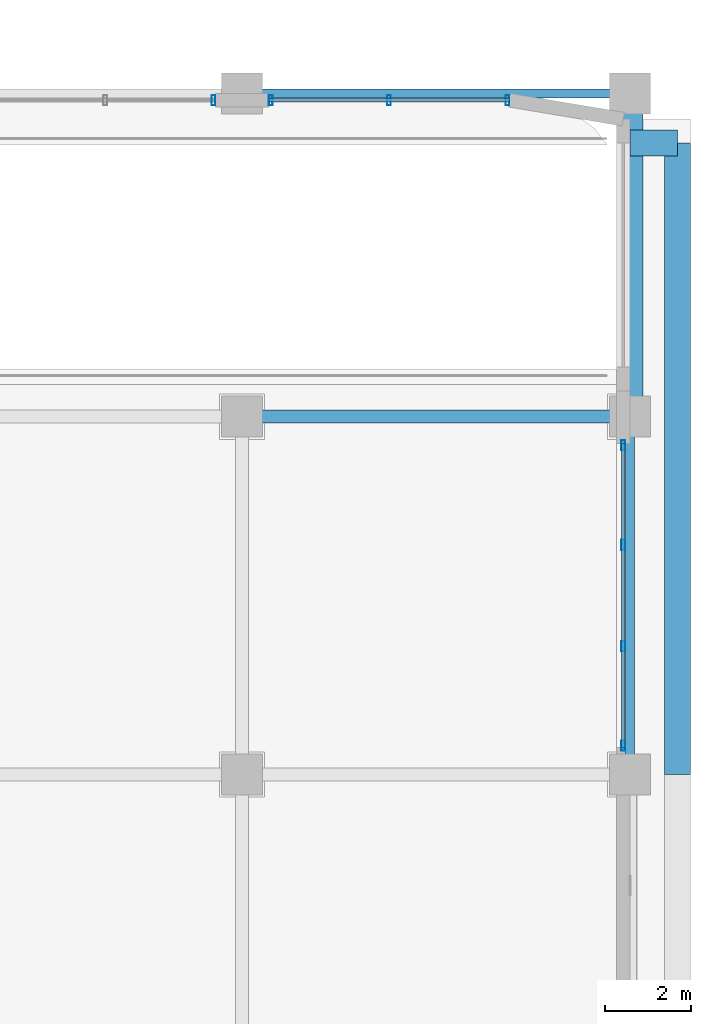
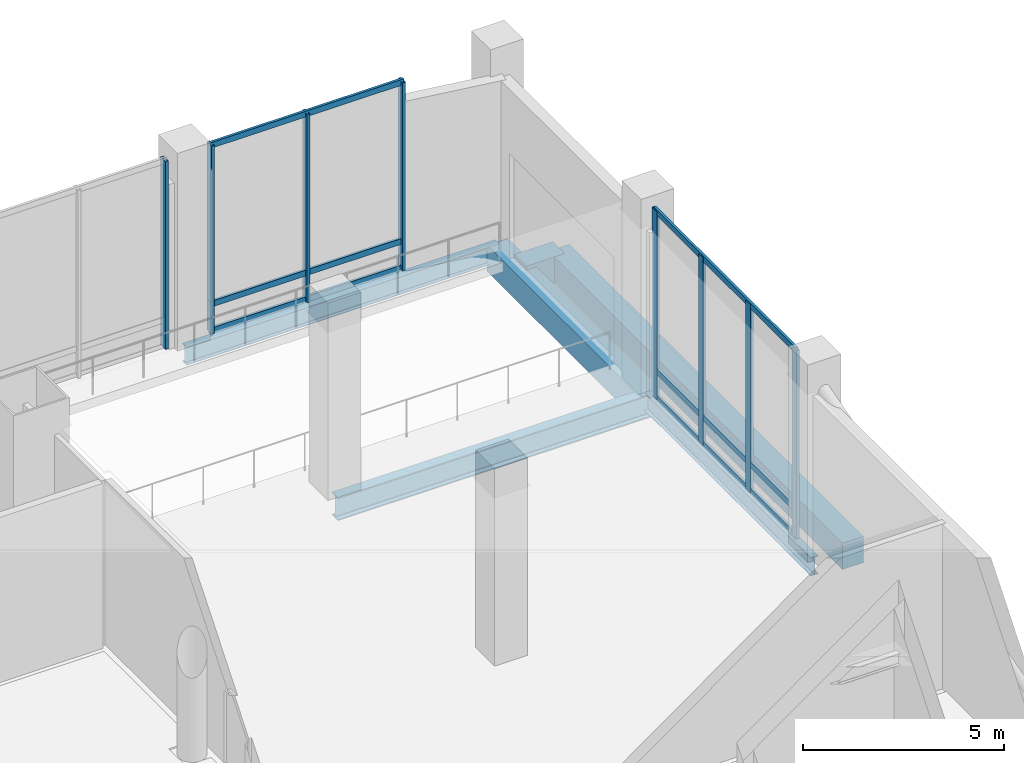
# One storey, part 16 of 32: 14 members, 6 beams, 3 elements without a shape of their own.
"""IFC4 building model written with IfcOpenShell, lengths in metres."""

from ifc_helpers import new_model, si_unit, direction, frame, origin, origin_2d, place, context, subcontext, project, spatial, rectangle, hollow_rectangle, i_section, extrude, material, material_profile, profile_set, type_object, element, aggregate, save


model = new_model("IFC4")

# Units and contexts
model_context = context("Model", 3, precision=1e-05, world=origin(), true_north=direction((0.0, 1.0)))
body_context = subcontext(model_context, "Body", "Model", "MODEL_VIEW")
ifc_project = project(units=[si_unit("LENGTHUNIT", "METRE"), si_unit("AREAUNIT", "SQUARE_METRE"), si_unit("VOLUMEUNIT", "CUBIC_METRE"), si_unit("PLANEANGLEUNIT", "RADIAN"), si_unit("MASSUNIT", "GRAM", prefix="KILO")], contexts=[model_context])

# Site, building, storey
site_placement = place(None, origin())
site = spatial("IfcSite", under=ifc_project, at=site_placement, CompositionType="ELEMENT")
building_placement = place(site_placement, origin())
building = spatial("IfcBuilding", under=site, at=building_placement, Name="Punatoya Terracotta Tower", CompositionType="ELEMENT")
storey_placement = place(building_placement, origin())
storey = spatial("IfcBuildingStorey", under=building, at=storey_placement, Name="L00", CompositionType="ELEMENT", Elevation=0.0)

# Beams
ifc_material_1 = material(Name="Steel S355", Category="steel")
ifc_material_profile_1 = material_profile(ifc_material_1, i_section(OverallWidth=0.300048828125, OverallDepth=0.699951171875, WebThickness=0.01708984375, FlangeThickness=0.031982421875, FilletRadius=0.01806640625, at=origin_2d()))
ifc_profile_set_1 = profile_set([ifc_material_profile_1], Name="Steel S355")
beam_type_1 = type_object("IfcBeamType", Name="BM-PRI-700", PredefinedType="BEAM", material=ifc_profile_set_1)
beam_1_placement = place(storey_placement, frame((28.0, 17.5, -0.6298828125), z_axis=(1.0, 0.0, 0.0), x_axis=(0.0, 1.0, 0.0)))
element("IfcBeam", 1, at=beam_1_placement, inside=storey, type_object=beam_type_1, Name="BM-L00-GE2", PredefinedType="BEAM", context=body_context, shape_type="SweptSolid", body=[
    extrude(i_section(OverallWidth=0.300048828125, OverallDepth=0.699951171875, WebThickness=0.01708984375, FlangeThickness=0.031982421875, FilletRadius=0.01806640625, at=origin_2d()), origin(), (0.0, 0.0, 1.0), 9.0),
])
ifc_material_2 = material(Name="Concrete C45/55", Category="concrete")
ifc_material_profile_2 = material_profile(ifc_material_2, rectangle(XDim=0.60009765625, YDim=0.800048828125, at=origin_2d()))
ifc_profile_set_2 = profile_set([ifc_material_profile_2], Name="Concrete C45/55")
beam_type_2 = type_object("IfcBeamType", Name="BM-RC-GRD", PredefinedType="BEAM", material=ifc_profile_set_2)
beam_2_placement = place(storey_placement, frame((37.0, 17.5, -0.679931640625), z_axis=(0.0, 1.0, 0.0), x_axis=(-1.0, 0.0, 0.0)))
element("IfcBeam", 2, at=beam_2_placement, inside=storey, type_object=beam_type_2, Name="BM-L00-VR2-HDR", PredefinedType="BEAM", context=body_context, shape_type="SweptSolid", body=[
    extrude(rectangle(XDim=0.60009765625, YDim=0.800048828125, at=origin_2d()), origin(), (0.0, 0.0, 1.0), 7.5),
])
beam_3_placement = place(storey_placement, frame((38.10009765625, 9.199951171875, -0.550048828125), z_axis=(0.0, 1.0, 0.0), x_axis=(-1.0, 0.0, 0.0)))
element("IfcBeam", 3, at=beam_3_placement, inside=storey, type_object=beam_type_2, Name="GB-APRE-2", PredefinedType="BEAM", context=body_context, shape_type="SweptSolid", body=[
    extrude(rectangle(XDim=0.60009765625, YDim=0.800048828125, at=origin_2d()), origin(), (0.0, 0.0, 1.0), 14.650146484375),
])
beam_4_placement = place(storey_placement, frame((37.0, 23.85009765625, -0.550048828125), z_axis=(1.0, 0.0, 0.0), x_axis=(0.0, 1.0, 0.0)))
element("IfcBeam", 4, at=beam_4_placement, inside=storey, type_object=beam_type_2, Name="GB-APRE-T2", PredefinedType="BEAM", context=body_context, shape_type="SweptSolid", body=[
    extrude(rectangle(XDim=0.60009765625, YDim=0.800048828125, at=origin_2d()), origin(), (0.0, 0.0, 1.0), 1.10009765625),
])
ifc_material_profile_3 = material_profile(ifc_material_1, i_section(OverallWidth=0.2099609375, OverallDepth=0.550048828125, WebThickness=0.010986328125, FlangeThickness=0.01708984375, FilletRadius=0.01806640625, at=origin_2d()))
ifc_profile_set_3 = profile_set([ifc_material_profile_3], Name="Steel S355")
beam_type_3 = type_object("IfcBeamType", Name="BM-SPN-550", PredefinedType="SPANDREL", material=ifc_profile_set_3)
beam_5_placement = place(storey_placement, frame((28.0, 25.0, -0.554931640625), z_axis=(1.0, 0.0, 0.0), x_axis=(0.0, 1.0, 0.0)))
element("IfcBeam", 5, at=beam_5_placement, inside=storey, type_object=beam_type_3, Name="BM-L00-HE2", PredefinedType="SPANDREL", context=body_context, shape_type="SweptSolid", body=[
    extrude(i_section(OverallWidth=0.2099609375, OverallDepth=0.550048828125, WebThickness=0.010986328125, FlangeThickness=0.01708984375, FilletRadius=0.01806640625, at=origin_2d()), origin(), (0.0, 0.0, 1.0), 9.0),
])
beam_6_placement = place(storey_placement, frame((37.0, 9.199951171875, -0.554931640625), z_axis=(0.0, 1.0, 0.0), x_axis=(-1.0, 0.0, 0.0)))
element("IfcBeam", 6, at=beam_6_placement, inside=storey, type_object=beam_type_3, Name="BM-L00-X37E-9", PredefinedType="SPANDREL", context=body_context, shape_type="SweptSolid", body=[
    extrude(i_section(OverallWidth=0.2099609375, OverallDepth=0.550048828125, WebThickness=0.010986328125, FlangeThickness=0.01708984375, FilletRadius=0.01806640625, at=origin_2d()), origin(), (0.0, 0.0, 1.0), 8.300048828125),
])

# Curtain wall, member
ifc_material_3 = material(Name="Aluminium 6063-T6 + Double Low-E Glass", Category="aluminium")
curtain_wall_type = type_object("IfcCurtainWallType", Name="CW-POD", PredefinedType="NOTDEFINED", material=ifc_material_3)
curtain_wall_1_placement = place(storey_placement, origin())
curtain_wall_1 = element("IfcCurtainWall", 7, at=curtain_wall_1_placement, inside=storey, type_object=curtain_wall_type, Name="L00 Curtain Wall CWP-L00-N2-2", PredefinedType="NOTDEFINED")
ifc_material_4 = material(Name="Aluminium 6063-T6", Category="aluminium")
ifc_material_profile_4 = material_profile(ifc_material_4, hollow_rectangle(XDim=0.0849609375, YDim=0.239990234375, WallThickness=0.0048828125, at=origin_2d()))
ifc_profile_set_4 = profile_set([ifc_material_profile_4], Name="Aluminium 6063-T6")
member_type_1 = type_object("IfcMemberType", Name="CW-MUL-POD", PredefinedType="MULLION", material=ifc_profile_set_4)
member_1_placement = place(storey_placement, frame((27.3349609375, 24.840087890625, 0.0), z_axis=(0.0, 0.0, 1.0), x_axis=(1.0, 0.0, 0.0)))
member_1 = element("IfcMember", 8, at=member_1_placement, type_object=member_type_1, Name="CWP-L00-N2-2 Mullion 03", PredefinedType="MULLION", context=body_context, shape_type="SweptSolid", body=[
    extrude(hollow_rectangle(XDim=0.0849609375, YDim=0.239990234375, WallThickness=0.0048828125, at=origin_2d()), origin(), (0.0, 0.0, 1.0), 5.719970703125),
])
aggregate(curtain_wall_1, [member_1])

# Curtain wall, members
curtain_wall_2_placement = place(storey_placement, origin())
curtain_wall_2 = element("IfcCurtainWall", 9, at=curtain_wall_2_placement, inside=storey, type_object=curtain_wall_type, Name="L00 Curtain Wall CWP-L00-N2-3", PredefinedType="NOTDEFINED")
member_2_placement = place(storey_placement, frame((28.6650390625, 24.840087890625, 0.0), z_axis=(0.0, 0.0, 1.0), x_axis=(1.0, 0.0, 0.0)))
member_2 = element("IfcMember", 10, at=member_2_placement, type_object=member_type_1, Name="CWP-L00-N2-3 Mullion 00", PredefinedType="MULLION", context=body_context, shape_type="SweptSolid", body=[
    extrude(hollow_rectangle(XDim=0.0849609375, YDim=0.239990234375, WallThickness=0.0048828125, at=origin_2d()), origin(), (0.0, 0.0, 1.0), 5.719970703125),
])
member_3_placement = place(storey_placement, frame((31.409912109375, 24.840087890625, 0.0), z_axis=(0.0, 0.0, 1.0), x_axis=(1.0, 0.0, 0.0)))
member_3 = element("IfcMember", 11, at=member_3_placement, type_object=member_type_1, Name="CWP-L00-N2-3 Mullion 01", PredefinedType="MULLION", context=body_context, shape_type="SweptSolid", body=[
    extrude(hollow_rectangle(XDim=0.0849609375, YDim=0.239990234375, WallThickness=0.0048828125, at=origin_2d()), origin(), (0.0, 0.0, 1.0), 5.719970703125),
])
member_4_placement = place(storey_placement, frame((34.155029296875, 24.840087890625, 0.0), z_axis=(0.0, 0.0, 1.0), x_axis=(1.0, 0.0, 0.0)))
member_4 = element("IfcMember", 12, at=member_4_placement, type_object=member_type_1, Name="CWP-L00-N2-3 Mullion 02", PredefinedType="MULLION", context=body_context, shape_type="SweptSolid", body=[
    extrude(hollow_rectangle(XDim=0.0849609375, YDim=0.239990234375, WallThickness=0.0048828125, at=origin_2d()), origin(), (0.0, 0.0, 1.0), 5.719970703125),
])

curtain_wall_3_placement = place(storey_placement, origin())
curtain_wall_3 = element("IfcCurtainWall", 13, at=curtain_wall_3_placement, inside=storey, type_object=curtain_wall_type, Name="L00 Curtain Wall CWP-L00-E1", PredefinedType="NOTDEFINED")
member_5_placement = place(storey_placement, frame((36.840087890625, 16.8349609375, 0.0), z_axis=(0.0, 0.0, 1.0), x_axis=(1.0, 0.0, 0.0)))
member_5 = element("IfcMember", 14, at=member_5_placement, type_object=member_type_1, Name="CWP-L00-E1 Mullion 00", PredefinedType="MULLION", context=body_context, shape_type="SweptSolid", body=[
    extrude(hollow_rectangle(XDim=0.0849609375, YDim=0.239990234375, WallThickness=0.0048828125, at=origin_2d()), origin(), (0.0, 0.0, 1.0), 5.719970703125),
])
member_6_placement = place(storey_placement, frame((36.840087890625, 14.526611328125, 0.0), z_axis=(0.0, 0.0, 1.0), x_axis=(1.0, 0.0, 0.0)))
member_6 = element("IfcMember", 15, at=member_6_placement, type_object=member_type_1, Name="CWP-L00-E1 Mullion 01", PredefinedType="MULLION", context=body_context, shape_type="SweptSolid", body=[
    extrude(hollow_rectangle(XDim=0.0849609375, YDim=0.239990234375, WallThickness=0.0048828125, at=origin_2d()), origin(), (0.0, 0.0, 1.0), 5.719970703125),
])
member_7_placement = place(storey_placement, frame((36.840087890625, 12.17333984375, 0.0), z_axis=(0.0, 0.0, 1.0), x_axis=(1.0, 0.0, 0.0)))
member_7 = element("IfcMember", 16, at=member_7_placement, type_object=member_type_1, Name="CWP-L00-E1 Mullion 02", PredefinedType="MULLION", context=body_context, shape_type="SweptSolid", body=[
    extrude(hollow_rectangle(XDim=0.0849609375, YDim=0.239990234375, WallThickness=0.0048828125, at=origin_2d()), origin(), (0.0, 0.0, 1.0), 5.719970703125),
])
member_8_placement = place(storey_placement, frame((36.840087890625, 9.864990234375, 0.0), z_axis=(0.0, 0.0, 1.0), x_axis=(1.0, 0.0, 0.0)))
member_8 = element("IfcMember", 17, at=member_8_placement, type_object=member_type_1, Name="CWP-L00-E1 Mullion 03", PredefinedType="MULLION", context=body_context, shape_type="SweptSolid", body=[
    extrude(hollow_rectangle(XDim=0.0849609375, YDim=0.239990234375, WallThickness=0.0048828125, at=origin_2d()), origin(), (0.0, 0.0, 1.0), 5.719970703125),
])

# Member
ifc_material_profile_5 = material_profile(ifc_material_4, hollow_rectangle(XDim=0.074951171875, YDim=0.175048828125, WallThickness=0.00439453125, at=origin_2d()))
ifc_profile_set_5 = profile_set([ifc_material_profile_5], Name="Aluminium 6063-T6")
member_type_2 = type_object("IfcMemberType", Name="CW-TRN-POD", PredefinedType="USERDEFINED", material=ifc_profile_set_5)
member_9_placement = place(storey_placement, frame((28.6201171875, 24.840087890625, 0.0400390625), z_axis=(1.0, 0.0, 0.0), x_axis=(0.0, 1.0, 0.0)))
member_9 = element("IfcMember", 18, at=member_9_placement, type_object=member_type_2, Name="CWP-L00-N2-3 Transom 1", ObjectType="TRANSOM", PredefinedType="USERDEFINED", context=body_context, shape_type="SweptSolid", body=[
    extrude(hollow_rectangle(XDim=0.074951171875, YDim=0.175048828125, WallThickness=0.00439453125, at=origin_2d()), origin(), (0.0, 0.0, 1.0), 5.579833984375),
])

member_10_placement = place(storey_placement, frame((28.6201171875, 24.840087890625, 0.85009765625), z_axis=(1.0, 0.0, 0.0), x_axis=(0.0, 1.0, 0.0)))
member_10 = element("IfcMember", 19, at=member_10_placement, type_object=member_type_2, Name="CWP-L00-N2-3 Transom 2", ObjectType="TRANSOM", PredefinedType="USERDEFINED", context=body_context, shape_type="SweptSolid", body=[
    extrude(hollow_rectangle(XDim=0.074951171875, YDim=0.175048828125, WallThickness=0.00439453125, at=origin_2d()), origin(), (0.0, 0.0, 1.0), 5.579833984375),
])

member_11_placement = place(storey_placement, frame((28.6201171875, 24.840087890625, 5.679931640625), z_axis=(1.0, 0.0, 0.0), x_axis=(0.0, 1.0, 0.0)))
member_11 = element("IfcMember", 20, at=member_11_placement, type_object=member_type_2, Name="CWP-L00-N2-3 Transom 3", ObjectType="TRANSOM", PredefinedType="USERDEFINED", context=body_context, shape_type="SweptSolid", body=[
    extrude(hollow_rectangle(XDim=0.074951171875, YDim=0.175048828125, WallThickness=0.00439453125, at=origin_2d()), origin(), (0.0, 0.0, 1.0), 5.579833984375),
])

aggregate(curtain_wall_2, [member_2, member_3, member_4, member_9, member_10, member_11])

member_12_placement = place(storey_placement, frame((36.840087890625, 16.8798828125, 0.0400390625), z_axis=(0.0, -1.0, 0.0), x_axis=(1.0, 0.0, 0.0)))
member_12 = element("IfcMember", 21, at=member_12_placement, type_object=member_type_2, Name="CWP-L00-E1 Transom 1", ObjectType="TRANSOM", PredefinedType="USERDEFINED", context=body_context, shape_type="SweptSolid", body=[
    extrude(hollow_rectangle(XDim=0.074951171875, YDim=0.175048828125, WallThickness=0.00439453125, at=origin_2d()), origin(), (0.0, 0.0, 1.0), 7.059814453125),
])

member_13_placement = place(storey_placement, frame((36.840087890625, 16.8798828125, 0.85009765625), z_axis=(0.0, -1.0, 0.0), x_axis=(1.0, 0.0, 0.0)))
member_13 = element("IfcMember", 22, at=member_13_placement, type_object=member_type_2, Name="CWP-L00-E1 Transom 2", ObjectType="TRANSOM", PredefinedType="USERDEFINED", context=body_context, shape_type="SweptSolid", body=[
    extrude(hollow_rectangle(XDim=0.074951171875, YDim=0.175048828125, WallThickness=0.00439453125, at=origin_2d()), origin(), (0.0, 0.0, 1.0), 7.059814453125),
])

member_14_placement = place(storey_placement, frame((36.840087890625, 16.8798828125, 5.679931640625), z_axis=(0.0, -1.0, 0.0), x_axis=(1.0, 0.0, 0.0)))
member_14 = element("IfcMember", 23, at=member_14_placement, type_object=member_type_2, Name="CWP-L00-E1 Transom 3", ObjectType="TRANSOM", PredefinedType="USERDEFINED", context=body_context, shape_type="SweptSolid", body=[
    extrude(hollow_rectangle(XDim=0.074951171875, YDim=0.175048828125, WallThickness=0.00439453125, at=origin_2d()), origin(), (0.0, 0.0, 1.0), 7.059814453125),
])

aggregate(curtain_wall_3, [member_5, member_6, member_7, member_8, member_12, member_13, member_14])

save(model, "model.ifc")
